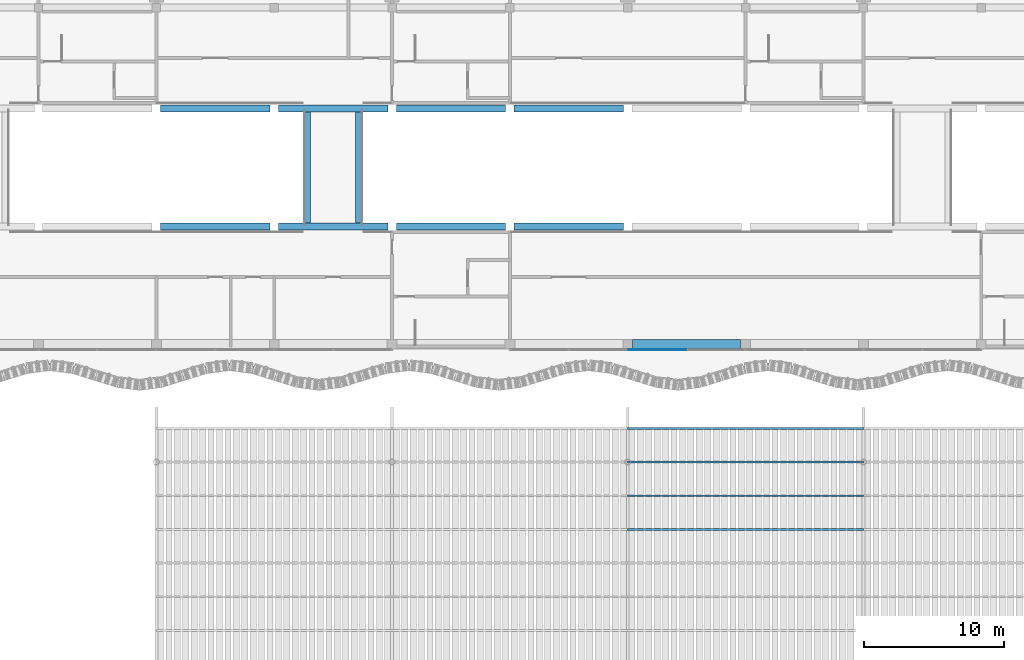
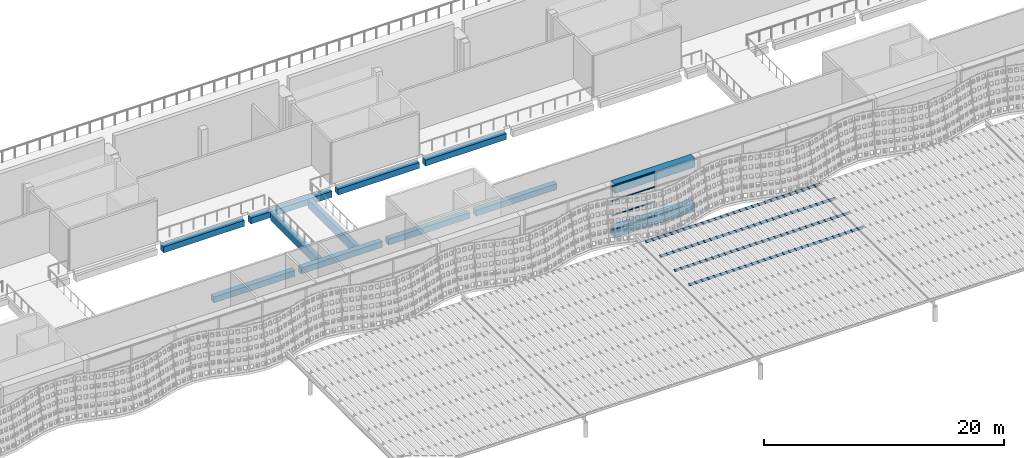
# One storey, part 33 of 162: 12 beams, 8 members, 1 element without a shape of its own.
"""IFC4 building model written with IfcOpenShell, lengths in metres."""

from ifc_helpers import new_model, si_unit, direction, frame, origin, origin_2d, place, context, subcontext, project, spatial, rectangle, i_section, extrude, material, layer, layer_set, material_profile, profile_set, type_object, element, aggregate, save


model = new_model("IFC4")

# Units and contexts
model_context = context("Model", 3, precision=1e-05, world=origin(), true_north=direction((0.0, 1.0)))
body_context = subcontext(model_context, "Body", "Model", "MODEL_VIEW")
ifc_project = project(units=[si_unit("LENGTHUNIT", "METRE"), si_unit("AREAUNIT", "SQUARE_METRE"), si_unit("VOLUMEUNIT", "CUBIC_METRE"), si_unit("PLANEANGLEUNIT", "RADIAN"), si_unit("MASSUNIT", "GRAM", prefix="KILO")], contexts=[model_context])

# Site, building, storey
site_placement = place(None, origin())
site = spatial("IfcSite", under=ifc_project, at=site_placement, CompositionType="ELEMENT")
building_placement = place(site_placement, origin())
building = spatial("IfcBuilding", under=site, at=building_placement, Name="Rain Tree Exposition and Congress Centre", CompositionType="ELEMENT")
storey_placement = place(building_placement, frame((0.0, 0.0, 6.0)))
storey = spatial("IfcBuildingStorey", under=building, at=storey_placement, Name="L01", CompositionType="ELEMENT", Elevation=6.0)

# Curtain wall, members
ifc_material_1 = material(Name="Aluminium curtain wall system", Category="aluminium")
ifc_layer = layer(ifc_material_1, 0.10009765625)
ifc_layer_set = layer_set([ifc_layer], Name="Aluminium curtain wall system")
curtain_wall_type = type_object("IfcCurtainWallType", Name="Concourse curtain wall 4200 module", PredefinedType="NOTDEFINED", material=ifc_layer_set)
curtain_wall_placement = place(storey_placement, origin())
curtain_wall = element("IfcCurtainWall", 1, at=curtain_wall_placement, inside=storey, type_object=curtain_wall_type, Name="Concourse curtain wall CWC24", PredefinedType="NOTDEFINED")
ifc_material_2 = material(Name="Aluminium transom", Category="aluminium")
ifc_material_profile_1 = material_profile(ifc_material_2, rectangle(XDim=0.06005859375, YDim=0.1201171875, at=origin_2d()), Name="AL 60x120")
ifc_profile_set_1 = profile_set([ifc_material_profile_1], Name="Aluminium transom")
member_type_1 = type_object("IfcMemberType", Name="Concourse curtain wall transom 60x120", PredefinedType="USERDEFINED", material=ifc_profile_set_1)
member_1_placement = place(storey_placement, frame((92.429931640625, 75.199951171875, 0.030029296875), z_axis=(1.0, 0.0, 0.0), x_axis=(0.0, 1.0, 0.0)))
member_1 = element("IfcMember", 2, at=member_1_placement, type_object=member_type_1, Name="CWC24 transom 3.1", ObjectType="TRANSOM", PredefinedType="USERDEFINED", context=body_context, shape_type="SweptSolid", body=[
    extrude(rectangle(XDim=0.06005859375, YDim=0.1201171875, at=origin_2d()), origin(), (0.0, 0.0, 1.0), 4.14013671875),
])
member_2_placement = place(storey_placement, frame((92.429931640625, 75.199951171875, 1.5), z_axis=(1.0, 0.0, 0.0), x_axis=(0.0, 1.0, 0.0)))
member_2 = element("IfcMember", 3, at=member_2_placement, type_object=member_type_1, Name="CWC24 transom 3.2", ObjectType="TRANSOM", PredefinedType="USERDEFINED", context=body_context, shape_type="SweptSolid", body=[
    extrude(rectangle(XDim=0.06005859375, YDim=0.1201171875, at=origin_2d()), origin(), (0.0, 0.0, 1.0), 4.14013671875),
])
member_3_placement = place(storey_placement, frame((92.429931640625, 75.199951171875, 3.0), z_axis=(1.0, 0.0, 0.0), x_axis=(0.0, 1.0, 0.0)))
member_3 = element("IfcMember", 4, at=member_3_placement, type_object=member_type_1, Name="CWC24 transom 3.3", ObjectType="TRANSOM", PredefinedType="USERDEFINED", context=body_context, shape_type="SweptSolid", body=[
    extrude(rectangle(XDim=0.06005859375, YDim=0.1201171875, at=origin_2d()), origin(), (0.0, 0.0, 1.0), 4.14013671875),
])
member_4_placement = place(storey_placement, frame((92.429931640625, 75.199951171875, 4.469970703125), z_axis=(1.0, 0.0, 0.0), x_axis=(0.0, 1.0, 0.0)))
member_4 = element("IfcMember", 5, at=member_4_placement, type_object=member_type_1, Name="CWC24 transom 3.4", ObjectType="TRANSOM", PredefinedType="USERDEFINED", context=body_context, shape_type="SweptSolid", body=[
    extrude(rectangle(XDim=0.06005859375, YDim=0.1201171875, at=origin_2d()), origin(), (0.0, 0.0, 1.0), 4.14013671875),
])
aggregate(curtain_wall, [member_1, member_2, member_3, member_4])

# Beams
ifc_material_3 = material(Name="Precast concrete C50/60", Category="concrete")
ifc_material_profile_2 = material_profile(ifc_material_3, rectangle(XDim=0.39990234375, YDim=0.89990234375, at=origin_2d()), Name="RC 400x900")
ifc_profile_set_2 = profile_set([ifc_material_profile_2], Name="Precast concrete C50/60")
beam_type_1 = type_object("IfcBeamType", Name="Precast beam 400x900", PredefinedType="BEAM", material=ifc_profile_set_2)
for number, where, z_axis, x_axis, name in (
    (6, (69.60009765625, 84.25, -0.75), (0.0, 1.0, 0.0), (-1.0, 0.0, 0.0), "Concourse bridge beam 3.1"),
    (7, (73.199951171875, 84.25, -0.75), (0.0, 1.0, 0.0), (-1.0, 0.0, 0.0), "Concourse bridge beam 3.2"),
):
    element("IfcBeam", number, at=place(storey_placement, frame(where, z_axis=z_axis, x_axis=x_axis)), inside=storey, type_object=beam_type_1, Name=name, PredefinedType="BEAM", context=body_context, shape_type="SweptSolid", body=[
        extrude(rectangle(XDim=0.39990234375, YDim=0.89990234375, at=origin_2d()), origin(), (0.0, 0.0, 1.0), 7.89990234375),
    ])
ifc_material_4 = material(Name="Precast concrete C50/60", Category="concrete")
ifc_material_profile_3 = material_profile(ifc_material_4, rectangle(XDim=0.5, YDim=0.60009765625, at=origin_2d()), Name="RC 500x600")
ifc_profile_set_3 = profile_set([ifc_material_profile_3], Name="Precast concrete C50/60")
beam_type_2 = type_object("IfcBeamType", Name="Precast beam 500x600", PredefinedType="BEAM", material=ifc_profile_set_3)
beam_1_placement = place(storey_placement, frame((59.10009765625, 84.0, -0.60009765625), z_axis=(1.0, 0.0, 0.0), x_axis=(0.0, 1.0, 0.0)))
element("IfcBeam", 8, at=beam_1_placement, inside=storey, type_object=beam_type_2, Name="Concourse floor beam 40", PredefinedType="BEAM", context=body_context, shape_type="SweptSolid", body=[
    extrude(rectangle(XDim=0.5, YDim=0.60009765625, at=origin_2d()), origin(), (0.0, 0.0, 1.0), 7.7998046875),
])
for number, where, z_axis, x_axis, name in (
    (9, (67.5, 84.0, -0.60009765625), (1.0, 0.0, 0.0), (0.0, 1.0, 0.0), "Concourse floor beam 41"),
    (10, (75.89990234375, 84.0, -0.60009765625), (1.0, 0.0, 0.0), (0.0, 1.0, 0.0), "Concourse floor beam 42"),
    (11, (84.300048828125, 84.0, -0.60009765625), (1.0, 0.0, 0.0), (0.0, 1.0, 0.0), "Concourse floor beam 43"),
):
    element("IfcBeam", number, at=place(storey_placement, frame(where, z_axis=z_axis, x_axis=x_axis)), inside=storey, type_object=beam_type_2, Name=name, PredefinedType="BEAM", context=body_context, shape_type="SweptSolid", body=[
        extrude(rectangle(XDim=0.5, YDim=0.60009765625, at=origin_2d()), origin(), (0.0, 0.0, 1.0), 7.800048828125),
    ])
beam_2_placement = place(storey_placement, frame((59.10009765625, 92.39990234375, -0.60009765625), z_axis=(1.0, 0.0, 0.0), x_axis=(0.0, 1.0, 0.0)))
element("IfcBeam", 12, at=beam_2_placement, inside=storey, type_object=beam_type_2, Name="Concourse floor beam 72", PredefinedType="BEAM", context=body_context, shape_type="SweptSolid", body=[
    extrude(rectangle(XDim=0.5, YDim=0.60009765625, at=origin_2d()), origin(), (0.0, 0.0, 1.0), 7.7998046875),
])
for number, where, z_axis, x_axis, name in (
    (13, (67.5, 92.39990234375, -0.60009765625), (1.0, 0.0, 0.0), (0.0, 1.0, 0.0), "Concourse floor beam 73"),
    (14, (75.89990234375, 92.39990234375, -0.60009765625), (1.0, 0.0, 0.0), (0.0, 1.0, 0.0), "Concourse floor beam 74"),
    (15, (84.300048828125, 92.39990234375, -0.60009765625), (1.0, 0.0, 0.0), (0.0, 1.0, 0.0), "Concourse floor beam 75"),
):
    element("IfcBeam", number, at=place(storey_placement, frame(where, z_axis=z_axis, x_axis=x_axis)), inside=storey, type_object=beam_type_2, Name=name, PredefinedType="BEAM", context=body_context, shape_type="SweptSolid", body=[
        extrude(rectangle(XDim=0.5, YDim=0.60009765625, at=origin_2d()), origin(), (0.0, 0.0, 1.0), 7.800048828125),
    ])
ifc_material_5 = material(Name="Precast concrete C50/60", Category="concrete")
ifc_material_profile_4 = material_profile(ifc_material_5, rectangle(XDim=0.699951171875, YDim=0.89990234375, at=origin_2d()), Name="RC 700x900")
ifc_profile_set_4 = profile_set([ifc_material_profile_4], Name="Precast concrete C50/60")
beam_type_3 = type_object("IfcBeamType", Name="Precast beam 700x900", PredefinedType="BEAM", material=ifc_profile_set_4)
for number, where, z_axis, x_axis, name in (
    (16, (92.75, 75.60009765625, -0.449951171875), (1.0, 0.0, 0.0), (0.0, 1.0, 0.0), "Concourse edge beam 12"),
    (17, (92.75, 75.60009765625, 4.050048828125), (1.0, 0.0, 0.0), (0.0, 1.0, 0.0), "Concourse roof edge beam 12"),
):
    element("IfcBeam", number, at=place(storey_placement, frame(where, z_axis=z_axis, x_axis=x_axis)), inside=storey, type_object=beam_type_3, Name=name, PredefinedType="BEAM", context=body_context, shape_type="SweptSolid", body=[
        extrude(rectangle(XDim=0.699951171875, YDim=0.89990234375, at=origin_2d()), origin(), (0.0, 0.0, 1.0), 7.699951171875),
    ])

# Members
ifc_material_6 = material(Name="Steel S355J2", Category="steel")
ifc_material_profile_5 = material_profile(ifc_material_6, i_section(OverallWidth=0.125, OverallDepth=0.25, WebThickness=0.006103515625, FlangeThickness=0.009033203125, FilletRadius=0.008056640625, at=origin_2d()), Name="H 250x125x6x9")
ifc_profile_set_5 = profile_set([ifc_material_profile_5], Name="Steel S355J2")
member_type_2 = type_object("IfcMemberType", Name="Steel purlin H 250x125x6x9", PredefinedType="PURLIN", material=ifc_profile_set_5)
for number, where, z_axis, x_axis, name in (
    (18, (92.39990234375, 62.39990234375, 2.22509765625), (1.0, 0.0, 0.0), (0.0, 1.0, 0.0), "Canopy purlin 28"),
    (19, (92.39990234375, 64.800048828125, 2.22509765625), (1.0, 0.0, 0.0), (0.0, 1.0, 0.0), "Canopy purlin 33"),
    (20, (92.39990234375, 67.199951171875, 2.22509765625), (1.0, 0.0, 0.0), (0.0, 1.0, 0.0), "Canopy purlin 38"),
    (21, (92.39990234375, 69.60009765625, 2.22509765625), (1.0, 0.0, 0.0), (0.0, 1.0, 0.0), "Canopy purlin 43"),
):
    element("IfcMember", number, at=place(storey_placement, frame(where, z_axis=z_axis, x_axis=x_axis)), inside=storey, type_object=member_type_2, Name=name, PredefinedType="PURLIN", context=body_context, shape_type="SweptSolid", body=[
        extrude(i_section(OverallWidth=0.125, OverallDepth=0.25, WebThickness=0.006103515625, FlangeThickness=0.009033203125, FilletRadius=0.008056640625, at=origin_2d()), origin(), (0.0, 0.0, 1.0), 16.800048828125),
    ])

save(model, "model.ifc")
